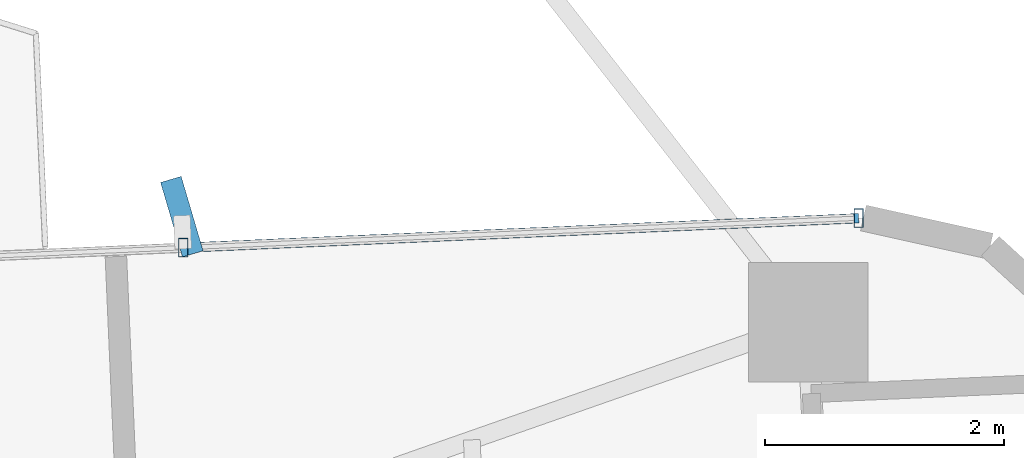
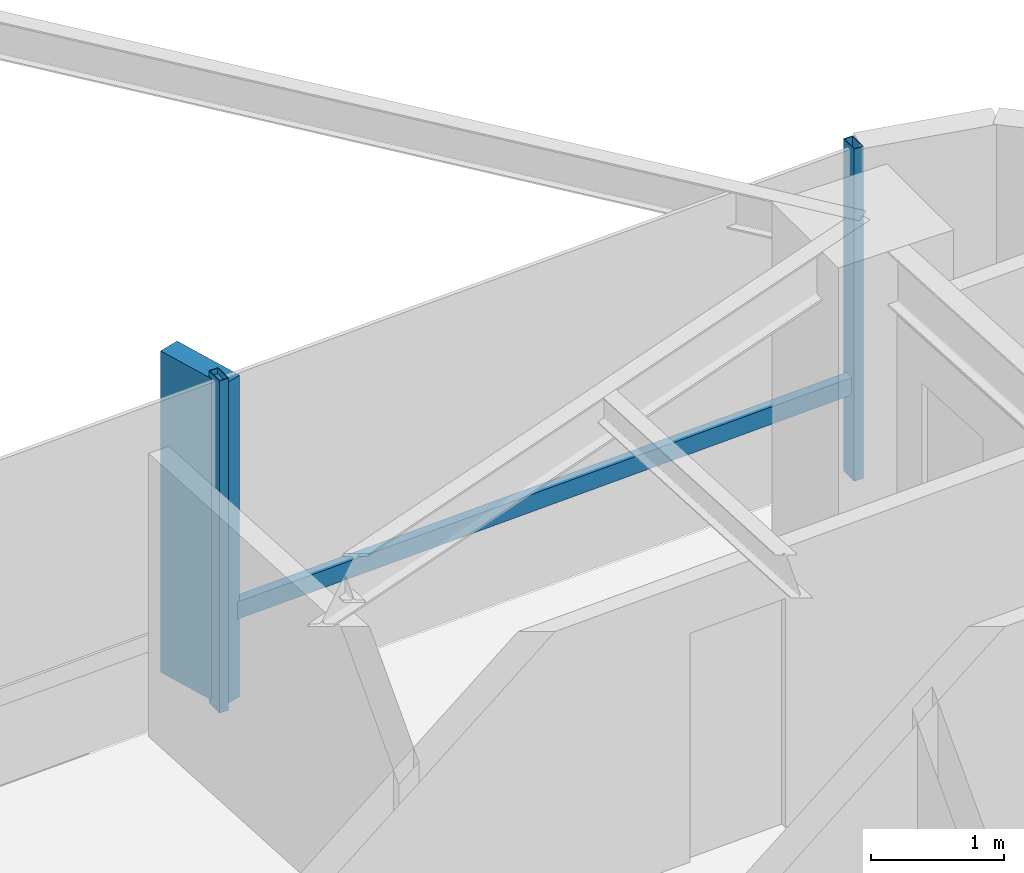
# One storey, part 20 of 27: 4 members, 1 element without a shape of its own.
"""IFC4 building model written with IfcOpenShell, lengths in metres."""

import ifcopenshell
import ifcopenshell.guid

model = None  # the IFC model being written
_history = None  # IfcOwnerHistory: only IFC2X3 demands one
_inside = {}  # id of a spatial element -> (the spatial element, [elements in it])
_under = {}  # id of a project, library or spatial element -> (it, [spatial elements below it])
_declared = {}  # id of a project -> (the project, [libraries it declares])
_typed = {}  # id of a type object -> (the type object, [elements of that type])
_made_of = {}  # id of a material, layer set ... -> (it, [elements and type objects made of it])


def new_model(schema):
    """Start an empty IFC model of exactly this schema.

    Asked for "IFC4X3", IfcOpenShell would pick the latest addendum, in which some entities
    have other attributes; the version numbers below select the first issue.
    IFC2X3 requires an IfcOwnerHistory on every rooted entity: one is made here for all.
    """
    global model, _history
    if schema == "IFC4X3":
        model = ifcopenshell.file(schema_version=(4, 3, 0, 0))
    else:
        model = ifcopenshell.file(schema=schema)
    _inside.clear()
    _under.clear()
    _declared.clear()
    _typed.clear()
    _made_of.clear()
    _history = None
    if model.schema == "IFC2X3":
        org = make("IfcOrganization", Name="unknown")
        user = make(
            "IfcPersonAndOrganization",
            ThePerson=make("IfcPerson", FamilyName="unknown"),
            TheOrganization=org,
        )
        app = make(
            "IfcApplication",
            ApplicationDeveloper=org,
            Version="unknown",
            ApplicationFullName="unknown",
            ApplicationIdentifier="unknown",
        )
        _history = make(
            "IfcOwnerHistory",
            OwningUser=user,
            OwningApplication=app,
            ChangeAction="ADDED",
            CreationDate=0,
        )
    return model


def make(cls, **values):
    """One entity of the class cls with the attributes given. An attribute that is None is left unset."""
    return model.create_entity(
        cls, **{name: value for name, value in values.items() if value is not None}
    )


def rooted(cls, **values):
    """An entity with a GlobalId (a new one), such as an element, a storey or a relation."""
    return make(cls, GlobalId=ifcopenshell.guid.new(), OwnerHistory=_history, **values)


def si_unit(unit_type, name, prefix=None):
    """IfcSIUnit, for example si_unit("LENGTHUNIT", "METRE", prefix="MILLI")."""
    return make("IfcSIUnit", UnitType=unit_type, Prefix=prefix, Name=name)


def assignment(units):
    """IfcUnitAssignment: the units of a project."""
    return None if units is None else make("IfcUnitAssignment", Units=units)


def point(xyz):
    """IfcCartesianPoint."""
    return None if xyz is None else make("IfcCartesianPoint", Coordinates=xyz)


def direction(xyz):
    """IfcDirection."""
    return None if xyz is None else make("IfcDirection", DirectionRatios=xyz)


def frame(location, z_axis=None, x_axis=None):
    """IfcAxis2Placement3D, a coordinate frame: its origin and axes. An axis left out is left unset."""
    return make(
        "IfcAxis2Placement3D",
        Location=point(location),
        Axis=direction(z_axis),
        RefDirection=direction(x_axis),
    )


def frame_2d(location, x_axis=None):
    """IfcAxis2Placement2D, a coordinate frame in the plane: its origin and x axis."""
    return make(
        "IfcAxis2Placement2D", Location=point(location), RefDirection=direction(x_axis)
    )


def origin():
    """The frame at (0, 0, 0) with its axes left unset."""
    return frame((0.0, 0.0, 0.0))


def origin_2d():
    """The frame at (0, 0) in the plane with its x axis left unset."""
    return frame_2d((0.0, 0.0))


def place(relative_to, where):
    """IfcLocalPlacement: puts the frame where relative to a parent placement (None: the world)."""
    return make(
        "IfcLocalPlacement", PlacementRelTo=relative_to, RelativePlacement=where
    )


def context(
    kind, dimensions, precision=None, world=None, true_north=None, identifier=None
):
    """IfcGeometricRepresentationContext, for example the 3D "Model" context."""
    return make(
        "IfcGeometricRepresentationContext",
        ContextIdentifier=identifier,
        ContextType=kind,
        CoordinateSpaceDimension=dimensions,
        Precision=precision,
        WorldCoordinateSystem=world,
        TrueNorth=true_north,
    )


def subcontext(parent, identifier, kind, view, scale=None):
    """IfcGeometricRepresentationSubContext, for example "Body" below "Model"."""
    return make(
        "IfcGeometricRepresentationSubContext",
        ContextIdentifier=identifier,
        ContextType=kind,
        ParentContext=parent,
        TargetScale=scale,
        TargetView=view,
    )


def project(units=None, contexts=None):
    """IfcProject with its units and contexts."""
    return rooted(
        "IfcProject",
        Name="project",
        RepresentationContexts=contexts,
        UnitsInContext=assignment(units),
    )


def spatial(cls, under=None, at=None, **own):
    """A site, building, storey or space (cls), placed at a placement, below another one or the project."""
    s = rooted(cls, ObjectPlacement=at, **own)
    if under is not None:
        _under.setdefault(under.id(), (under, []))[1].append(s)
    return s


def profile(cls, at=None, kind="AREA", **sizes):
    """A parametric profile (cls). Its sizes go by their IFC names, for example OverallWidth=200.0."""
    return make(cls, ProfileType=kind, Position=at, **sizes)


def rectangle(**sizes):
    """IfcRectangleProfileDef."""
    return profile("IfcRectangleProfileDef", **sizes)


def hollow_rectangle(**sizes):
    """IfcRectangleHollowProfileDef."""
    return profile("IfcRectangleHollowProfileDef", **sizes)


def extrude(swept, where, along, depth):
    """IfcExtrudedAreaSolid: the profile swept, set in the frame where, extruded along a direction by depth."""
    return make(
        "IfcExtrudedAreaSolid",
        SweptArea=swept,
        Position=where,
        ExtrudedDirection=direction(along),
        Depth=depth,
    )


def shape(context_of_items, identifier, shape_type, items):
    """IfcShapeRepresentation: the items that make up one representation, for example the "Body"."""
    return make(
        "IfcShapeRepresentation",
        ContextOfItems=context_of_items,
        RepresentationIdentifier=identifier,
        RepresentationType=shape_type,
        Items=items,
    )


def source(mapping_origin, context_of_items, identifier, shape_type, items):
    """IfcRepresentationMap: a shape defined once, which mapped items show again and again."""
    return make(
        "IfcRepresentationMap",
        MappingOrigin=mapping_origin,
        MappedRepresentation=shape(context_of_items, identifier, shape_type, items),
    )


def transform(
    local_origin,
    x_axis=None,
    y_axis=None,
    z_axis=None,
    scale=None,
    scale2=None,
    scale3=None,
    uniform=True,
):
    """IfcCartesianTransformationOperator3D, or its non-uniform kind. x_axis, y_axis, z_axis: its Axis1, 2, 3."""
    if uniform:
        return make(
            "IfcCartesianTransformationOperator3D",
            Axis1=direction(x_axis),
            Axis2=direction(y_axis),
            LocalOrigin=point(local_origin),
            Scale=scale,
            Axis3=direction(z_axis),
        )
    return make(
        "IfcCartesianTransformationOperator3DnonUniform",
        Axis1=direction(x_axis),
        Axis2=direction(y_axis),
        LocalOrigin=point(local_origin),
        Scale=scale,
        Axis3=direction(z_axis),
        Scale2=scale2,
        Scale3=scale3,
    )


def mapped(mapping_source, mapping_target):
    """IfcMappedItem: shows the shape of a source again, moved by a transform."""
    return make(
        "IfcMappedItem", MappingSource=mapping_source, MappingTarget=mapping_target
    )


def material(Name=None, Category=None):
    """IfcMaterial."""
    return make("IfcMaterial", Name=Name, Category=Category)


def material_profile(
    of_material, cross_section, Name=None, Category=None, Priority=None
):
    """IfcMaterialProfile: a cross section and its material."""
    return make(
        "IfcMaterialProfile",
        Name=Name,
        Material=of_material,
        Profile=cross_section,
        Priority=Priority,
        Category=Category,
    )


def profile_set(profiles, Name=None, composite=None):
    """IfcMaterialProfileSet."""
    return make(
        "IfcMaterialProfileSet",
        Name=Name,
        MaterialProfiles=profiles,
        CompositeProfile=composite,
    )


def made_of(thing, what):
    """Note that an element or type object is made of a material, layer set ...; save() writes the relation."""
    if what is not None:
        _made_of.setdefault(what.id(), (what, []))[1].append(thing)
    return thing


def type_object(cls, material=None, **own):
    """A type object (cls), such as IfcWallType, which elements share."""
    return made_of(rooted(cls, **own), material)


def element(
    cls,
    number,
    at=None,
    inside=None,
    cuts=None,
    type_object=None,
    material=None,
    context=None,
    identifier="Body",
    shape_type=None,
    held_by="IfcProductDefinitionShape",
    body=None,
    shapes=None,
    **own,
):
    """One element of the class cls, such as IfcWall. Its Tag is "e" and its number.

    at: its placement. inside: the storey or other place that contains it. cuts: it is an
    opening in that element (IfcRelVoidsElement). A single representation is given by context,
    identifier, shape_type and body (its items); several are given by shapes. held_by: the class
    of the entity that holds the representations. save() writes the other relations.
    """
    e = rooted(cls, Tag="e%d" % number, ObjectPlacement=at, **own)
    if body is not None:
        shapes = [shape(context, identifier, shape_type, body)]
    if shapes is not None:
        e.Representation = make(held_by, Representations=shapes)
    if inside is not None:
        _inside.setdefault(inside.id(), (inside, []))[1].append(e)
    if cuts is not None:
        rooted(
            "IfcRelVoidsElement", RelatingBuildingElement=cuts, RelatedOpeningElement=e
        )
    if type_object is not None:
        _typed.setdefault(type_object.id(), (type_object, []))[1].append(e)
    return made_of(e, material)


def aggregate(whole, parts):
    """IfcRelAggregates: a whole, such as a stair, and the parts it consists of."""
    return rooted("IfcRelAggregates", RelatingObject=whole, RelatedObjects=parts)


def save(model, path):
    """Write the relations noted so far, then the file.

    IfcRelAggregates (storeys below a building ...), IfcRelContainedInSpatialStructure (elements
    in a storey), IfcRelDefinesByType, IfcRelAssociatesMaterial and IfcRelDeclares: one each for
    every whole, place, type object, material and project.
    """
    for whole, parts in _under.values():
        aggregate(whole, parts)
    for where, things in _inside.values():
        rooted(
            "IfcRelContainedInSpatialStructure",
            RelatedElements=things,
            RelatingStructure=where,
        )
    for kind, things in _typed.values():
        rooted("IfcRelDefinesByType", RelatedObjects=things, RelatingType=kind)
    for what, things in _made_of.values():
        rooted("IfcRelAssociatesMaterial", RelatedObjects=things, RelatingMaterial=what)
    for by, libraries in _declared.values():
        rooted("IfcRelDeclares", RelatingContext=by, RelatedDefinitions=libraries)
    model.write(path)


model = new_model("IFC4")

# Units and contexts
model_context = context("Model", 3, precision=1e-05, world=origin(), true_north=direction((0.0, 1.0)))
body_context = subcontext(model_context, "Body", "Model", "MODEL_VIEW")
ifc_project = project(units=[si_unit("LENGTHUNIT", "METRE"), si_unit("AREAUNIT", "SQUARE_METRE"), si_unit("VOLUMEUNIT", "CUBIC_METRE"), si_unit("PLANEANGLEUNIT", "RADIAN"), si_unit("MASSUNIT", "GRAM", prefix="KILO")], contexts=[model_context])

# Site, building, storey
site_placement = place(None, origin())
site = spatial("IfcSite", under=ifc_project, at=site_placement, CompositionType="ELEMENT")
building_placement = place(site_placement, origin())
building = spatial("IfcBuilding", under=site, at=building_placement, Name="Sahyath Konkavel Grand Hotel", CompositionType="ELEMENT")
storey_placement = place(building_placement, frame((0.0, 0.0, 103.60009765625)))
storey = spatial("IfcBuildingStorey", under=building, at=storey_placement, Name="L28", CompositionType="ELEMENT", Elevation=103.60009765625)

# Curtain wall, members
ifc_material_1 = material(Name="Anodised Bronze Aluminium & Low-E Glazing", Category="aluminium")
curtain_wall_type = type_object("IfcCurtainWallType", Name="CW-ZONE2", PredefinedType="NOTDEFINED", material=ifc_material_1)
curtain_wall_placement = place(storey_placement, origin())
curtain_wall = element("IfcCurtainWall", 1, at=curtain_wall_placement, inside=storey, type_object=curtain_wall_type, Name="L28 Unitised Curtain Wall F7", PredefinedType="NOTDEFINED")
ifc_material_2 = material(Name="Anodised Bronze Aluminium", Category="aluminium")
ifc_material_profile_1 = material_profile(ifc_material_2, hollow_rectangle(XDim=0.080078125, YDim=0.159912109375, WallThickness=0.006103515625, at=origin_2d()), Name="RHS 160x80x6")
ifc_profile_set_1 = profile_set([ifc_material_profile_1], Name="Anodised Bronze Aluminium")
member_type_1 = type_object("IfcMemberType", Name="CW-TRN-160", PredefinedType="USERDEFINED", material=ifc_profile_set_1)
shared_shape_1 = source(origin(), body_context, "Body", "SweptSolid", [
    extrude(hollow_rectangle(XDim=0.080078125, YDim=0.159912109375, WallThickness=0.006103515625, at=origin_2d()), origin(), (0.0, 0.0, 1.0), 5.659912109375),
])
member_1_placement = place(storey_placement, frame((17.655029296875, 7.377197265625, 0.849853515625), z_axis=(-0.999048655935, -0.043609437898, 0.0), x_axis=(0.043609437898, -0.999048655935, 0.0)))
member_1 = element("IfcMember", 2, at=member_1_placement, type_object=member_type_1, Name="L28 Curtain Wall Transom F7-0-spandrel", ObjectType="TRANSOM", PredefinedType="USERDEFINED", context=body_context, shape_type="MappedRepresentation", body=[
    mapped(shared_shape_1, transform((0.0, 0.0, 0.0), scale=1.0)),
])
ifc_material_profile_2 = material_profile(ifc_material_2, hollow_rectangle(XDim=0.080078125, YDim=0.159912109375, WallThickness=0.006103515625, at=origin_2d()), Name="RHS 160x80x6")
ifc_profile_set_2 = profile_set([ifc_material_profile_2], Name="Anodised Bronze Aluminium")
member_type_2 = type_object("IfcMemberType", Name="CW-MUL-160", PredefinedType="MULLION", material=ifc_profile_set_2)
shared_shape_2 = source(origin(), body_context, "Body", "SweptSolid", [
    extrude(hollow_rectangle(XDim=0.080078125, YDim=0.159912109375, WallThickness=0.006103515625, at=origin_2d()), origin(), (0.0, 0.0, 1.0), 3.0498046875),
])
member_2_placement = place(storey_placement, frame((17.655029296875, 7.377197265625, 0.0), z_axis=(0.0, 0.0, 1.0), x_axis=(1.0, 0.0, 0.0)))
member_2 = element("IfcMember", 3, at=member_2_placement, type_object=member_type_2, Name="L28 Curtain Wall Mullion F7-0", PredefinedType="MULLION", context=body_context, shape_type="MappedRepresentation", body=[
    mapped(shared_shape_2, transform((0.0, 0.0, 0.0), scale=1.0)),
])
member_3_placement = place(storey_placement, frame((12.00048828125, 7.13037109375, 0.0), z_axis=(0.0, 0.0, 1.0), x_axis=(1.0, 0.0, 0.0)))
member_3 = element("IfcMember", 4, at=member_3_placement, type_object=member_type_2, Name="L28 Curtain Wall Mullion F7-1", PredefinedType="MULLION", context=body_context, shape_type="MappedRepresentation", body=[
    mapped(shared_shape_2, transform((0.0, 0.0, 0.0), scale=1.0)),
])
ifc_material_3 = material(Name="Warm Buff Sandstone Cladding on Concrete C50/60", Category="masonry")
ifc_material_profile_3 = material_profile(ifc_material_3, rectangle(XDim=0.179931640625, YDim=0.64990234375, at=origin_2d()), Name="FIN 180x650")
ifc_profile_set_3 = profile_set([ifc_material_profile_3], Name="Warm Buff Sandstone Cladding on Concrete C50/60")
member_type_3 = type_object("IfcMemberType", Name="FIN-SANDSTONE-650", PredefinedType="MULLION", material=ifc_profile_set_3)
shared_shape_3 = source(origin(), body_context, "Body", "SweptSolid", [
    extrude(rectangle(XDim=0.179931640625, YDim=0.64990234375, at=origin_2d()), origin(), (0.0, 0.0, 1.0), 2.9501953125),
])
member_4_placement = place(storey_placement, frame((11.989013671875, 7.39013671875, 0.0498046875), z_axis=(0.0, 0.0, 1.0), x_axis=(0.959264682049, 0.282508884416, 0.0)))
member_4 = element("IfcMember", 5, at=member_4_placement, type_object=member_type_3, Name="L28 Sandstone Vertical Solar Fin FIN F7-1", PredefinedType="MULLION", context=body_context, shape_type="MappedRepresentation", body=[
    mapped(shared_shape_3, transform((0.0, 0.0, 0.0), scale=1.0)),
])
aggregate(curtain_wall, [member_2, member_3, member_4, member_1])

save(model, "model.ifc")
